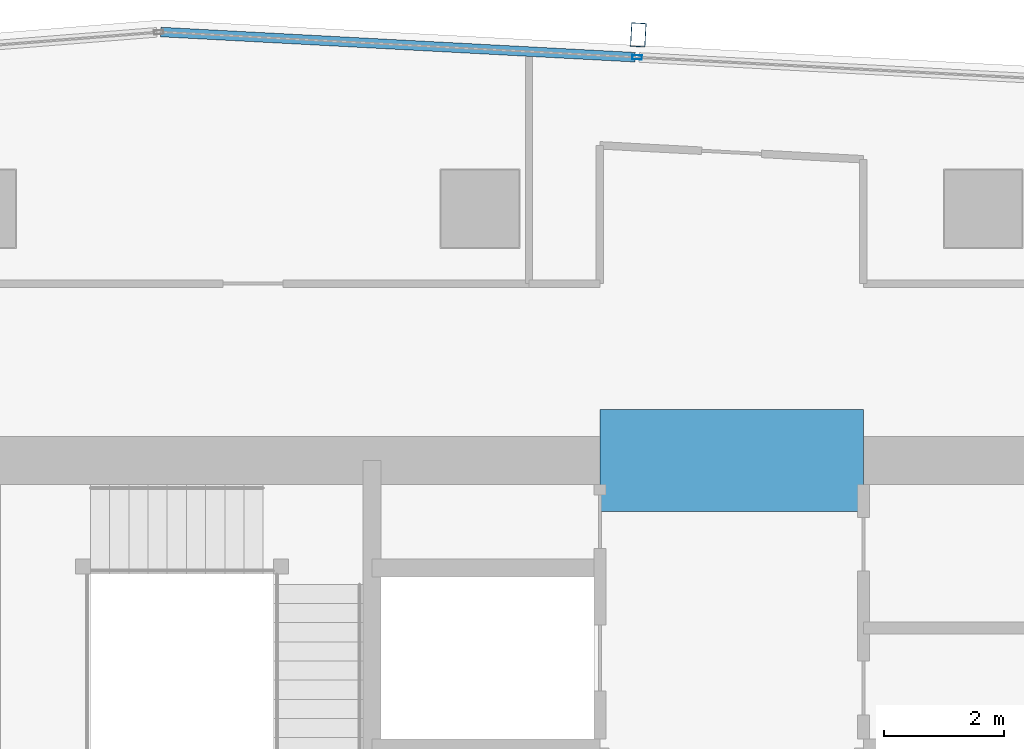
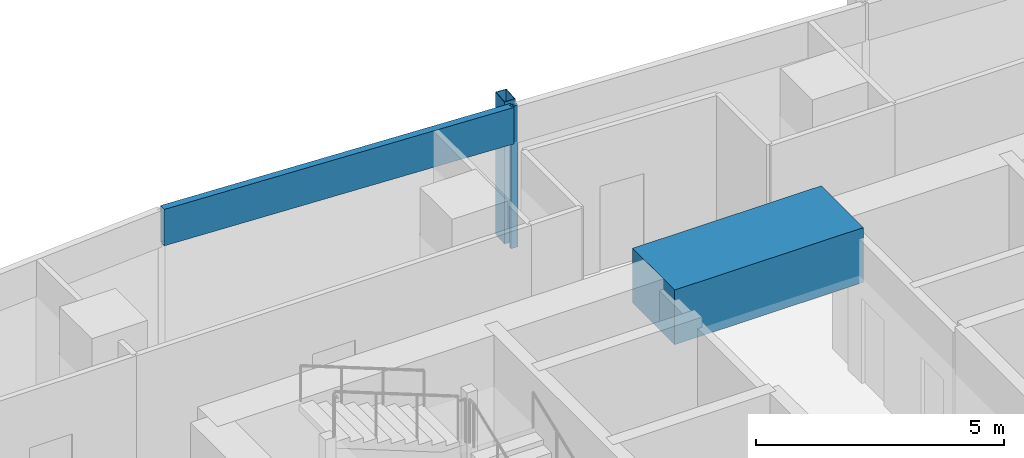
# One storey, part 17 of 29: 3 members, 1 beam, 1 element without a shape of its own.
"""IFC4 building model written with IfcOpenShell, lengths in metres."""

from ifc_helpers import new_model, si_unit, direction, frame, origin, origin_2d, place, context, subcontext, project, spatial, rectangle, hollow_rectangle, extrude, material, material_profile, profile_set, type_object, element, aggregate, save


model = new_model("IFC4")

# Units and contexts
model_context = context("Model", 3, precision=1e-05, world=origin(), true_north=direction((0.0, 1.0)))
body_context = subcontext(model_context, "Body", "Model", "MODEL_VIEW")
ifc_project = project(units=[si_unit("LENGTHUNIT", "METRE"), si_unit("AREAUNIT", "SQUARE_METRE"), si_unit("VOLUMEUNIT", "CUBIC_METRE"), si_unit("PLANEANGLEUNIT", "RADIAN"), si_unit("MASSUNIT", "GRAM", prefix="KILO")], contexts=[model_context])

# Site, building, storey
site_placement = place(None, origin())
site = spatial("IfcSite", under=ifc_project, at=site_placement, CompositionType="ELEMENT")
building_placement = place(site_placement, origin())
building = spatial("IfcBuilding", under=site, at=building_placement, Name="Rekha Terrace Tower", CompositionType="ELEMENT")
storey_placement = place(building_placement, frame((0.0, 0.0, 257.60009765625)))
storey = spatial("IfcBuildingStorey", under=building, at=storey_placement, Name="L65", CompositionType="ELEMENT", Elevation=257.60009765625)

# Curtain wall, members
ifc_material_1 = material(Name="Aluminium framing", Category="aluminium")
curtain_wall_type = type_object("IfcCurtainWallType", Name="CW3 north unitised glazing", PredefinedType="USERDEFINED", material=ifc_material_1)
curtain_wall_placement = place(storey_placement, origin())
curtain_wall = element("IfcCurtainWall", 1, at=curtain_wall_placement, inside=storey, type_object=curtain_wall_type, Name="CW3 unitised curtain wall", ObjectType="UNITISED CURTAIN WALL", PredefinedType="USERDEFINED")
ifc_material_2 = material(Name="Steel S355 with fluorocarbon finish", Category="steel")
ifc_material_profile_1 = material_profile(ifc_material_2, hollow_rectangle(XDim=0.25, YDim=0.39990234375, WallThickness=0.012451171875, at=origin_2d()), Name="RHS400x250x12.5")
ifc_profile_set_1 = profile_set([ifc_material_profile_1], Name="Steel S355 with fluorocarbon finish")
member_type_1 = type_object("IfcMemberType", Name="BL1 facade blade RHS 400 x 250", PredefinedType="USERDEFINED", material=ifc_profile_set_1)
member_1_placement = place(storey_placement, frame((36.24267578125, 53.301513671875, 0.0), z_axis=(0.0, 0.0, 1.0), x_axis=(-0.998590068481, 0.053083661621, 0.0)))
member_1 = element("IfcMember", 2, at=member_1_placement, type_object=member_type_1, Name="Facade blade", ObjectType="FACADE BLADE", PredefinedType="USERDEFINED", context=body_context, shape_type="SweptSolid", body=[
    extrude(hollow_rectangle(XDim=0.25, YDim=0.39990234375, WallThickness=0.012451171875, at=origin_2d()), origin(), (0.0, 0.0, 1.0), 3.5),
])
ifc_material_3 = material(Name="Aluminium mullion section", Category="aluminium")
ifc_material_profile_2 = material_profile(ifc_material_3, hollow_rectangle(XDim=0.070068359375, YDim=0.159912109375, WallThickness=0.00390625, at=origin_2d()), Name="AL RHS 70x160")
ifc_profile_set_2 = profile_set([ifc_material_profile_2], Name="Aluminium mullion section")
member_type_2 = type_object("IfcMemberType", Name="CW3 mullion RHS 70 x 160", PredefinedType="MULLION", material=ifc_profile_set_2)
member_2_placement = place(storey_placement, frame((36.22265625, 52.927001953125, 0.0), z_axis=(0.0, 0.0, 1.0), x_axis=(-0.053083275524, -0.998590089005, 0.0)))
member_2 = element("IfcMember", 3, at=member_2_placement, type_object=member_type_2, Name="CW3 mullion 4", PredefinedType="MULLION", context=body_context, shape_type="SweptSolid", body=[
    extrude(hollow_rectangle(XDim=0.070068359375, YDim=0.159912109375, WallThickness=0.00390625, at=origin_2d()), origin(), (0.0, 0.0, 1.0), 3.5),
])
ifc_material_4 = material(Name="Insulated aluminium spandrel box", Category="aluminium")
ifc_material_profile_3 = material_profile(ifc_material_4, hollow_rectangle(XDim=0.159912109375, YDim=0.89990234375, WallThickness=0.0029296875, at=origin_2d()), Name="AL SPANDREL BOX 160x900")
ifc_profile_set_3 = profile_set([ifc_material_profile_3], Name="Insulated aluminium spandrel box")
member_type_3 = type_object("IfcMemberType", Name="CW3 spandrel transom 160 x 900", PredefinedType="USERDEFINED", material=ifc_profile_set_3)
member_3_placement = place(storey_placement, frame((36.187744140625, 52.9287109375, 3.0498046875), z_axis=(-0.998589092231, 0.053102023288, 0.0), x_axis=(-0.053102023288, -0.998589092231, 0.0)))
member_3 = element("IfcMember", 4, at=member_3_placement, type_object=member_type_3, Name="CW3 spandrel transom 4", ObjectType="TRANSOM", PredefinedType="USERDEFINED", context=body_context, shape_type="SweptSolid", body=[
    extrude(hollow_rectangle(XDim=0.159912109375, YDim=0.89990234375, WallThickness=0.0029296875, at=origin_2d()), origin(), (0.0, 0.0, 1.0), 7.92626953125),
])
aggregate(curtain_wall, [member_2, member_3, member_1])

# Beam
ifc_material_5 = material(Name="Concrete M60", Category="concrete")
ifc_material_profile_4 = material_profile(ifc_material_5, rectangle(XDim=1.699951171875, YDim=1.35009765625, at=origin_2d()), Name="RC 1700x1350")
ifc_profile_set_4 = profile_set([ifc_material_profile_4], Name="Concrete M60")
beam_type = type_object("IfcBeamType", Name="LB5A 1700x1350 diagonally reinforced coupling beam", PredefinedType="LINTEL", material=ifc_profile_set_4)
beam_placement = place(storey_placement, frame((35.60009765625, 46.199951171875, 3.074951171875), z_axis=(1.0, 0.0, 0.0), x_axis=(0.0, 1.0, 0.0)))
element("IfcBeam", 5, at=beam_placement, inside=storey, type_object=beam_type, Name="Coupling beam LB5A N L65", PredefinedType="LINTEL", context=body_context, shape_type="SweptSolid", body=[
    extrude(rectangle(XDim=1.699951171875, YDim=1.35009765625, at=origin_2d()), origin(), (0.0, 0.0, 1.0), 4.39990234375),
])

save(model, "model.ifc")
